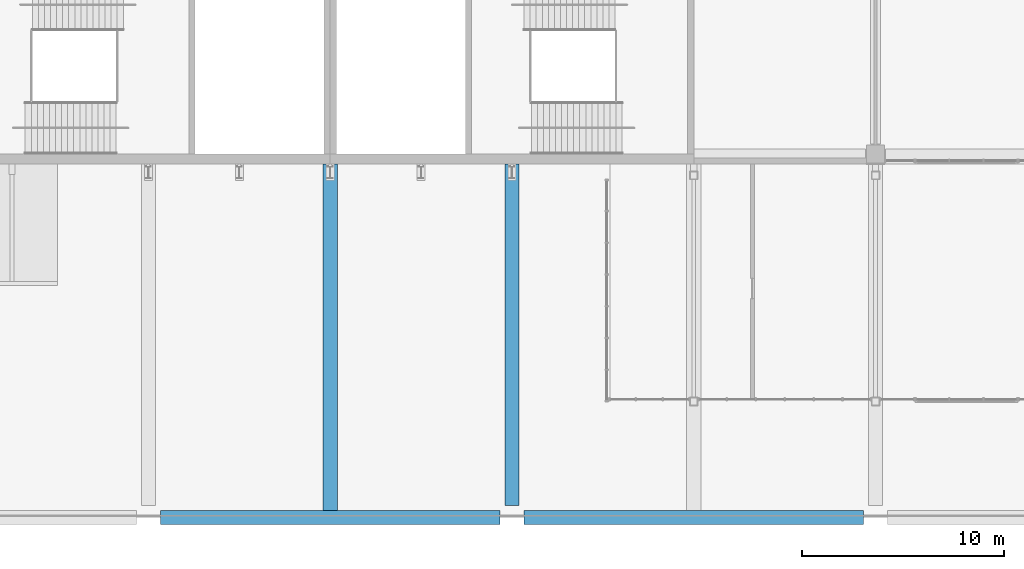
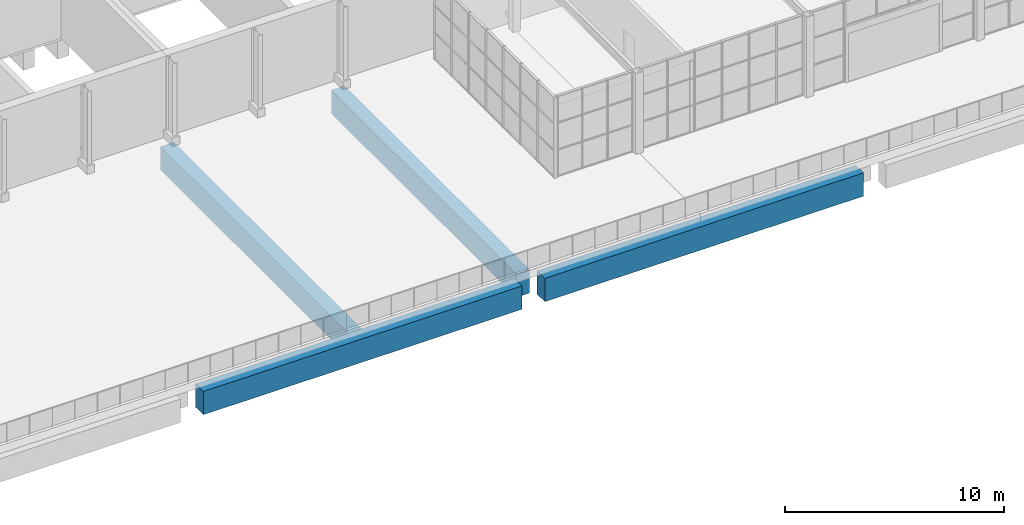
# One storey, part 28 of 168: 4 beams.
"""IFC4 building model written with IfcOpenShell, lengths in metres."""

from ifc_helpers import new_model, si_unit, direction, frame, origin, origin_2d, place, context, subcontext, project, spatial, rectangle, extrude, material, material_profile, profile_set, type_object, element, save


model = new_model("IFC4")

# Units and contexts
model_context = context("Model", 3, precision=1e-05, world=origin(), true_north=direction((0.0, 1.0)))
body_context = subcontext(model_context, "Body", "Model", "MODEL_VIEW")
ifc_project = project(units=[si_unit("LENGTHUNIT", "METRE"), si_unit("AREAUNIT", "SQUARE_METRE"), si_unit("VOLUMEUNIT", "CUBIC_METRE"), si_unit("PLANEANGLEUNIT", "RADIAN"), si_unit("MASSUNIT", "GRAM", prefix="KILO")], contexts=[model_context])

# Site, building, storey
site_placement = place(None, origin())
site = spatial("IfcSite", under=ifc_project, at=site_placement, CompositionType="ELEMENT")
building_placement = place(site_placement, origin())
building = spatial("IfcBuilding", under=site, at=building_placement, Name="Silverbay Arena", CompositionType="ELEMENT")
storey_placement = place(building_placement, frame((0.0, 0.0, 7.0)))
storey = spatial("IfcBuildingStorey", under=building, at=storey_placement, Name="L01", CompositionType="ELEMENT", Elevation=7.0)

# Beams
ifc_material = material(Name="Concrete Grade C45", Category="concrete")
ifc_material_profile = material_profile(ifc_material, rectangle(XDim=0.699951171875, YDim=1.300048828125, at=origin_2d()), Name="RC 700x1300")
ifc_profile_set = profile_set([ifc_material_profile], Name="Concrete Grade C45")
beam_type = type_object("IfcBeamType", Name="RC girder 700x1300", PredefinedType="BEAM", material=ifc_profile_set)
beam_1_placement = place(storey_placement, frame((99.0, 0.35009765625, -1.10009765625), z_axis=(0.0, 1.0, 0.0), x_axis=(-1.0, 0.0, 0.0)))
element("IfcBeam", 1, at=beam_1_placement, inside=storey, type_object=beam_type, Name="Deck secondary beam 113", PredefinedType="BEAM", context=body_context, shape_type="SweptSolid", body=[
    extrude(rectangle(XDim=0.699951171875, YDim=1.300048828125, at=origin_2d()), origin(), (0.0, 0.0, 1.0), 17.14990234375),
])
beam_2_placement = place(storey_placement, frame((108.0, 0.60009765625, -1.10009765625), z_axis=(0.0, 1.0, 0.0), x_axis=(-1.0, 0.0, 0.0)))
element("IfcBeam", 2, at=beam_2_placement, inside=storey, type_object=beam_type, Name="Deck secondary beam 115", PredefinedType="BEAM", context=body_context, shape_type="SweptSolid", body=[
    extrude(rectangle(XDim=0.699951171875, YDim=1.300048828125, at=origin_2d()), origin(), (0.0, 0.0, 1.0), 16.89990234375),
])
for number, where, z_axis, x_axis, name in (
    (3, (90.60009765625, 0.0, -1.10009765625), (1.0, 0.0, 0.0), (0.0, 1.0, 0.0), "Deck girder 139"),
    (4, (108.60009765625, 0.0, -1.10009765625), (1.0, 0.0, 0.0), (0.0, 1.0, 0.0), "Deck girder 139"),
):
    element("IfcBeam", number, at=place(storey_placement, frame(where, z_axis=z_axis, x_axis=x_axis)), inside=storey, type_object=beam_type, Name=name, PredefinedType="BEAM", context=body_context, shape_type="SweptSolid", body=[
        extrude(rectangle(XDim=0.699951171875, YDim=1.300048828125, at=origin_2d()), origin(), (0.0, 0.0, 1.0), 16.7998046875),
    ])

save(model, "model.ifc")
